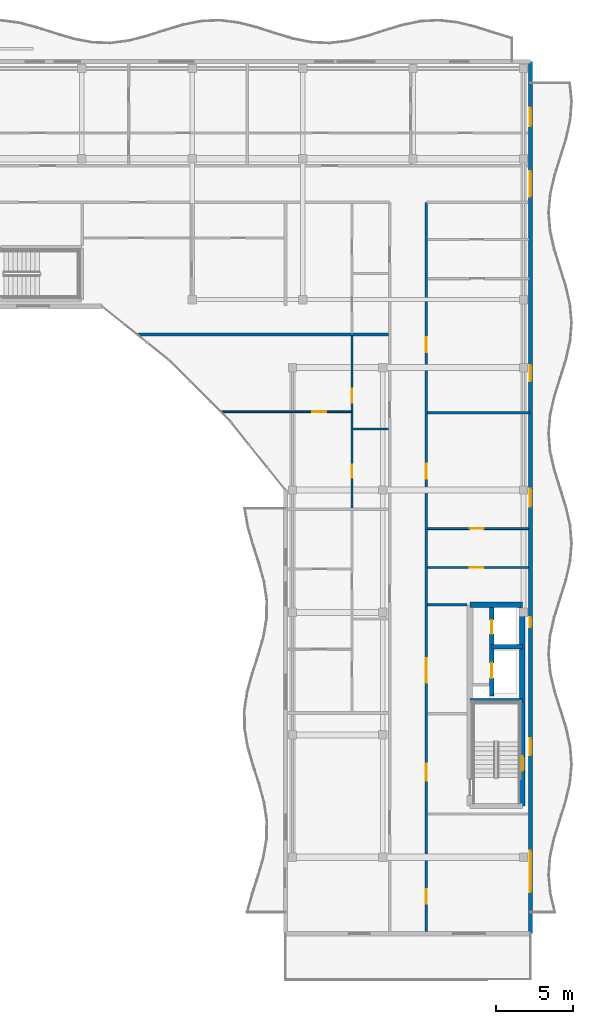
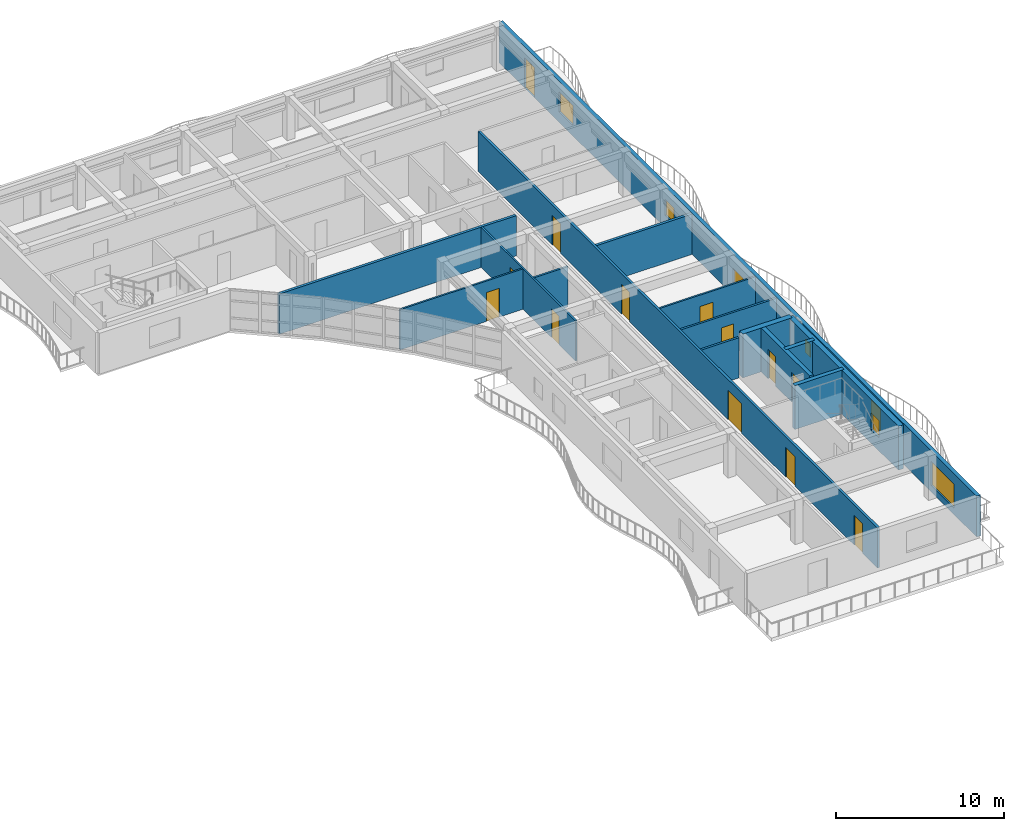
# One storey, part 34 of 49: 15 walls, 13 doors, 7 windows, 20 openings.
"""IFC4 building model written with IfcOpenShell, lengths in metres."""

from ifc_helpers import new_model, si_unit, direction, frame, frame_2d, origin, place, context, subcontext, project, spatial, rectangle, extrude, material, layer, layer_set, type_object, element, fill, save


model = new_model("IFC4")

# Units and contexts
model_context = context("Model", 3, precision=1e-05, world=origin(), true_north=direction((0.0, 1.0)))
body_context = subcontext(model_context, "Body", "Model", "MODEL_VIEW")
ifc_project = project(units=[si_unit("LENGTHUNIT", "METRE"), si_unit("AREAUNIT", "SQUARE_METRE"), si_unit("VOLUMEUNIT", "CUBIC_METRE"), si_unit("PLANEANGLEUNIT", "RADIAN"), si_unit("MASSUNIT", "GRAM", prefix="KILO")], contexts=[model_context])

# Site, building, storey
site_placement = place(None, origin())
site = spatial("IfcSite", under=ifc_project, at=site_placement, CompositionType="ELEMENT")
building_placement = place(site_placement, origin())
building = spatial("IfcBuilding", under=site, at=building_placement, Name="Keldmere Railside Commons", CompositionType="ELEMENT")
storey_placement = place(building_placement, frame((0.0, 0.0, 29.760009765625)))
storey = spatial("IfcBuildingStorey", under=building, at=storey_placement, Name="L09", CompositionType="ELEMENT", Elevation=29.760009765625)

# Walls
ifc_material_1 = material(Name="Acoustic Gypsum Board Partition", Category="gypsum")
ifc_layer_1 = layer(ifc_material_1, 0.179931640625, Name="Acoustic Demising Partition 180")
ifc_layer_set_1 = layer_set([ifc_layer_1], Name="Acoustic Gypsum Board Partition")
wall_type_1 = type_object("IfcWallType", Name="Acoustic Demising Partition 180", PredefinedType="PARTITIONING", material=ifc_layer_set_1)
wall_1_placement = place(storey_placement, frame((158.357421875, 98.159912109375, 0.0), z_axis=(0.0, 0.0, 1.0), x_axis=(1.0, 0.0, 0.0)))
element("IfcWall", 1, at=wall_1_placement, inside=storey, type_object=wall_type_1, Name="IW-1 IW-L09-1779", PredefinedType="PARTITIONING", context=body_context, shape_type="SweptSolid", body=[
    extrude(rectangle(XDim=16.362548828125, YDim=0.179931640625, at=frame_2d((8.18115234375, 0.0))), origin(), (0.0, 0.0, 1.0), 2.93505859375),
])
wall_2_placement = place(storey_placement, frame((177.280029296875, 93.050048828125, 0.0), z_axis=(0.0, 0.0, 1.0), x_axis=(1.0, 0.0, 0.0)))
element("IfcWall", 2, at=wall_2_placement, inside=storey, type_object=wall_type_1, Name="IW-1 IW-L09-1799", PredefinedType="PARTITIONING", context=body_context, shape_type="SweptSolid", body=[
    extrude(rectangle(XDim=6.679931640625, YDim=0.179931640625, at=frame_2d((3.33984375, 0.0))), origin(), (0.0, 0.0, 1.0), 2.93505859375),
])

# Wall, openings, doors
ifc_layer_2 = layer(ifc_material_1, 0.1201171875, Name="Apartment Interior Partition 120")
ifc_layer_set_2 = layer_set([ifc_layer_2], Name="Acoustic Gypsum Board Partition")
wall_type_2 = type_object("IfcWallType", Name="Apartment Interior Partition 120", PredefinedType="PARTITIONING", material=ifc_layer_set_2)
wall_3_placement = place(storey_placement, frame((172.340087890625, 86.830078125, 0.0), z_axis=(0.0, 0.0, 1.0), x_axis=(0.0, 1.0, 0.0)))
wall_3 = element("IfcWall", 3, at=wall_3_placement, inside=storey, type_object=wall_type_2, Name="IW-4 IW-L09-1784", PredefinedType="PARTITIONING", context=body_context, shape_type="SweptSolid", body=[
    extrude(rectangle(XDim=11.239990234375, YDim=0.1201171875, at=frame_2d((5.6201171875, 0.0))), origin(), (0.0, 0.0, 1.0), 2.93505859375),
])
opening_1_placement = place(wall_3_placement, frame((1.964599609375, 0.0, 0.0)))
opening_1 = element("IfcOpeningElement", 4, at=opening_1_placement, cuts=wall_3, Name="Opening ID-04", PredefinedType="OPENING", context=body_context, shape_type="SweptSolid", body=[
    extrude(rectangle(XDim=0.860107421875, YDim=2.10009765625, at=frame_2d((0.43017578125, 1.050048828125))), frame((0.0, 0.070068359375, 0.0), z_axis=(0.0, -1.0, 0.0), x_axis=(1.0, 0.0, 0.0)), (0.0, 0.0, 1.0), 0.14013671875),
])
opening_2_placement = place(wall_3_placement, frame((6.86962890625, 0.0, 0.0)))
opening_2 = element("IfcOpeningElement", 5, at=opening_2_placement, cuts=wall_3, Name="Opening ID-03", PredefinedType="OPENING", context=body_context, shape_type="SweptSolid", body=[
    extrude(rectangle(XDim=0.919921875, YDim=2.10009765625, at=frame_2d((0.4599609375, 1.050048828125))), frame((0.0, 0.070068359375, 0.0), z_axis=(0.0, -1.0, 0.0), x_axis=(1.0, 0.0, 0.0)), (0.0, 0.0, 1.0), 0.14013671875),
])
ifc_material_2 = material(Name="Engineered Oak Timber", Category="wood")
door_type_1 = type_object("IfcDoorType", Name="Apartment Bathroom Door 860x2100", OperationType="NOTDEFINED", PredefinedType="DOOR", material=ifc_material_2)
door_1_placement = place(opening_1_placement, origin())
door_1 = element("IfcDoor", 6, at=door_1_placement, inside=storey, type_object=door_type_1, Name="ID-04 IDR-L09-1625", OperationType="SINGLE_SWING_LEFT", OverallHeight=2.10009765625, OverallWidth=0.860107421875, PredefinedType="DOOR", context=body_context, shape_type="SweptSolid", body=[
    extrude(rectangle(XDim=0.860107421875, YDim=2.10009765625, at=frame_2d((0.43017578125, 1.050048828125))), frame((0.0, 0.02490234375, 0.0), z_axis=(0.0, -1.0, 0.0), x_axis=(1.0, 0.0, 0.0)), (0.0, 0.0, 1.0), 0.050048828125),
])
fill(opening_1, door_1)
door_type_2 = type_object("IfcDoorType", Name="Kitchen Pocket-Frame Swing Door 920x2100", OperationType="NOTDEFINED", PredefinedType="DOOR", material=ifc_material_2)
door_2_placement = place(opening_2_placement, origin())
door_2 = element("IfcDoor", 7, at=door_2_placement, inside=storey, type_object=door_type_2, Name="ID-03 IDR-L09-1626", OperationType="SINGLE_SWING_RIGHT", OverallHeight=2.10009765625, OverallWidth=0.919921875, PredefinedType="DOOR", context=body_context, shape_type="SweptSolid", body=[
    extrude(rectangle(XDim=0.919921875, YDim=2.10009765625, at=frame_2d((0.4599609375, 1.050048828125))), frame((0.0, 0.02490234375, 0.0), z_axis=(0.0, -1.0, 0.0), x_axis=(1.0, 0.0, 0.0)), (0.0, 0.0, 1.0), 0.050048828125),
])
fill(opening_2, door_2)

# Wall, opening, door
wall_4_placement = place(storey_placement, frame((163.8125, 93.1201171875, 0.0), z_axis=(0.0, 0.0, 1.0), x_axis=(1.0, 0.0, 0.0)))
wall_4 = element("IfcWall", 8, at=wall_4_placement, inside=storey, type_object=wall_type_2, Name="IW-4 IW-L09-1786", PredefinedType="PARTITIONING", context=body_context, shape_type="SweptSolid", body=[
    extrude(rectangle(XDim=8.467529296875, YDim=0.1201171875, at=frame_2d((4.23388671875, 0.0))), origin(), (0.0, 0.0, 1.0), 2.93505859375),
])
opening_3_placement = place(wall_4_placement, frame((5.94189453125, 0.0, 0.0)))
opening_3 = element("IfcOpeningElement", 9, at=opening_3_placement, cuts=wall_4, Name="Opening ID-01", PredefinedType="OPENING", context=body_context, shape_type="SweptSolid", body=[
    extrude(rectangle(XDim=0.89990234375, YDim=2.10009765625, at=frame_2d((0.449951171875, 1.050048828125))), frame((0.0, 0.070068359375, 0.0), z_axis=(0.0, -1.0, 0.0), x_axis=(1.0, 0.0, 0.0)), (0.0, 0.0, 1.0), 0.14013671875),
])
door_type_3 = type_object("IfcDoorType", Name="Primary Bedroom Door 900x2100", OperationType="NOTDEFINED", PredefinedType="DOOR", material=ifc_material_2)
door_3_placement = place(opening_3_placement, origin())
door_3 = element("IfcDoor", 10, at=door_3_placement, inside=storey, type_object=door_type_3, Name="ID-01 IDR-L09-1628", OperationType="SINGLE_SWING_RIGHT", OverallHeight=2.10009765625, OverallWidth=0.89990234375, PredefinedType="DOOR", context=body_context, shape_type="SweptSolid", body=[
    extrude(rectangle(XDim=0.89990234375, YDim=2.10009765625, at=frame_2d((0.449951171875, 1.050048828125))), frame((0.0, 0.02490234375, 0.0), z_axis=(0.0, -1.0, 0.0), x_axis=(1.0, 0.0, 0.0)), (0.0, 0.0, 1.0), 0.050048828125),
])
fill(opening_3, door_3)

wall_5_placement = place(storey_placement, frame((177.280029296875, 85.47998046875, 0.0), z_axis=(0.0, 0.0, 1.0), x_axis=(1.0, 0.0, 0.0)))
wall_5 = element("IfcWall", 11, at=wall_5_placement, inside=storey, type_object=wall_type_2, Name="IW-4 IW-L09-1801", PredefinedType="PARTITIONING", context=body_context, shape_type="SweptSolid", body=[
    extrude(rectangle(XDim=6.590087890625, YDim=0.1201171875, at=frame_2d((3.294921875, 0.0))), origin(), (0.0, 0.0, 1.0), 2.93505859375),
])
opening_4_placement = place(wall_5_placement, frame((2.767822265625, 0.0, 0.0)))
opening_4 = element("IfcOpeningElement", 12, at=opening_4_placement, cuts=wall_5, Name="Opening ID-03", PredefinedType="OPENING", context=body_context, shape_type="SweptSolid", body=[
    extrude(rectangle(XDim=0.919921875, YDim=2.10009765625, at=frame_2d((0.4599609375, 1.050048828125))), frame((0.0, 0.070068359375, 0.0), z_axis=(0.0, -1.0, 0.0), x_axis=(1.0, 0.0, 0.0)), (0.0, 0.0, 1.0), 0.14013671875),
])
door_4_placement = place(opening_4_placement, origin())
door_4 = element("IfcDoor", 13, at=door_4_placement, inside=storey, type_object=door_type_2, Name="ID-03 IDR-L09-1648", OperationType="SINGLE_SWING_RIGHT", OverallHeight=2.10009765625, OverallWidth=0.919921875, PredefinedType="DOOR", context=body_context, shape_type="SweptSolid", body=[
    extrude(rectangle(XDim=0.919921875, YDim=2.10009765625, at=frame_2d((0.4599609375, 1.050048828125))), frame((0.0, 0.02490234375, 0.0), z_axis=(0.0, -1.0, 0.0), x_axis=(1.0, 0.0, 0.0)), (0.0, 0.0, 1.0), 0.050048828125),
])
fill(opening_4, door_4)

# Walls
ifc_material_3 = material(Name="Concrete H-35 (C35/45)", Category="concrete")
ifc_layer_3 = layer(ifc_material_3, 0.280029296875, Name="Core Shear Wall 280")
ifc_layer_set_3 = layer_set([ifc_layer_3], Name="Concrete H-35 (C35/45)")
wall_type_3 = type_object("IfcWallType", Name="Core Shear Wall 280", PredefinedType="SHEAR", material=ifc_layer_set_3)
wall_6_placement = place(storey_placement, frame((180.06005859375, 74.239990234375, 0.0), z_axis=(0.0, 0.0, 1.0), x_axis=(1.0, 0.0, 0.0)))
element("IfcWall", 14, at=wall_6_placement, inside=storey, type_object=wall_type_3, Name="CSW-2 COREAM-L09-0820", PredefinedType="SHEAR", context=body_context, shape_type="SweptSolid", body=[
    extrude(rectangle(XDim=3.409912109375, YDim=0.280029296875, at=frame_2d((1.705078125, 0.0))), origin(), (0.0, 0.0, 1.0), 3.199951171875),
])
wall_7_placement = place(storey_placement, frame((181.469970703125, 77.75, 0.0), z_axis=(0.0, 0.0, 1.0), x_axis=(1.0, 0.0, 0.0)))
element("IfcWall", 15, at=wall_7_placement, inside=storey, type_object=wall_type_3, Name="CSW-2 COREAL-L09-0821", PredefinedType="SHEAR", context=body_context, shape_type="SweptSolid", body=[
    extrude(rectangle(XDim=2.0, YDim=0.280029296875, at=frame_2d((1.0, 0.0))), origin(), (0.0, 0.0, 1.0), 3.199951171875),
])

# Wall, openings, doors
wall_8_placement = place(storey_placement, frame((181.469970703125, 74.550048828125, 0.0), z_axis=(0.0, 0.0, 1.0), x_axis=(0.0, 1.0, 0.0)))
wall_8 = element("IfcWall", 16, at=wall_8_placement, inside=storey, type_object=wall_type_3, Name="CSW-2 LSHA-L09-0822", PredefinedType="SHEAR", context=body_context, shape_type="SweptSolid", body=[
    extrude(rectangle(XDim=5.949951171875, YDim=0.280029296875, at=frame_2d((2.97509765625, 0.0))), origin(), (0.0, 0.0, 1.0), 3.199951171875),
])
opening_5_placement = place(wall_8_placement, frame((1.14990234375, 0.0, 0.0)))
opening_5 = element("IfcOpeningElement", 17, at=opening_5_placement, cuts=wall_8, Name="Opening LD-1", PredefinedType="OPENING", context=body_context, shape_type="SweptSolid", body=[
    extrude(rectangle(XDim=1.0, YDim=2.14990234375, at=frame_2d((0.5, 1.074951171875))), frame((0.0, 0.14990234375, 0.0), z_axis=(0.0, -1.0, 0.0), x_axis=(1.0, 0.0, 0.0)), (0.0, 0.0, 1.0), 0.300048828125),
])
opening_6_placement = place(wall_8_placement, frame((4.050048828125, 0.0, 0.0)))
opening_6 = element("IfcOpeningElement", 18, at=opening_6_placement, cuts=wall_8, Name="Opening LD-2", PredefinedType="OPENING", context=body_context, shape_type="SweptSolid", body=[
    extrude(rectangle(XDim=0.89990234375, YDim=2.14990234375, at=frame_2d((0.449951171875, 1.074951171875))), frame((0.0, 0.14990234375, 0.0), z_axis=(0.0, -1.0, 0.0), x_axis=(1.0, 0.0, 0.0)), (0.0, 0.0, 1.0), 0.300048828125),
])
ifc_material_4 = material(Name="Steel F-24 (S235)", Category="steel")
door_type_4 = type_object("IfcDoorType", Name="Firefighting Stretcher Lift Landing Door 1000x2150", OperationType="SLIDING_TO_LEFT", PredefinedType="DOOR", material=ifc_material_4)
door_5_placement = place(opening_5_placement, origin())
door_5 = element("IfcDoor", 19, at=door_5_placement, inside=storey, type_object=door_type_4, Name="LD-1 A L09", OperationType="SLIDING_TO_LEFT", OverallHeight=2.14990234375, OverallWidth=1.0, PredefinedType="DOOR", context=body_context, shape_type="SweptSolid", body=[
    extrude(rectangle(XDim=1.0, YDim=2.14990234375, at=frame_2d((0.5, 1.074951171875))), frame((0.0, 0.02490234375, 0.0), z_axis=(0.0, -1.0, 0.0), x_axis=(1.0, 0.0, 0.0)), (0.0, 0.0, 1.0), 0.050048828125),
])
fill(opening_5, door_5)
door_type_5 = type_object("IfcDoorType", Name="Passenger Lift Sliding Landing Door 900x2150", OperationType="SLIDING_TO_RIGHT", PredefinedType="DOOR", material=ifc_material_4)
door_6_placement = place(opening_6_placement, origin())
door_6 = element("IfcDoor", 20, at=door_6_placement, inside=storey, type_object=door_type_5, Name="LD-2 A L09", OperationType="SLIDING_TO_RIGHT", OverallHeight=2.14990234375, OverallWidth=0.89990234375, PredefinedType="DOOR", context=body_context, shape_type="SweptSolid", body=[
    extrude(rectangle(XDim=0.89990234375, YDim=2.14990234375, at=frame_2d((0.449951171875, 1.074951171875))), frame((0.0, 0.02490234375, 0.0), z_axis=(0.0, -1.0, 0.0), x_axis=(1.0, 0.0, 0.0)), (0.0, 0.0, 1.0), 0.050048828125),
])
fill(opening_6, door_6)

# Wall
ifc_material_5 = material(Name="Concrete H-40 (C40/50)", Category="concrete")
ifc_layer_4 = layer(ifc_material_5, 0.3798828125, Name="Core Shear Wall 380")
ifc_layer_set_4 = layer_set([ifc_layer_4], Name="Concrete H-40 (C40/50)")
wall_type_4 = type_object("IfcWallType", Name="Core Shear Wall 380", PredefinedType="SHEAR", material=ifc_layer_set_4)
wall_9_placement = place(storey_placement, frame((180.06005859375, 80.5, 0.0), z_axis=(0.0, 0.0, 1.0), x_axis=(1.0, 0.0, 0.0)))
element("IfcWall", 21, at=wall_9_placement, inside=storey, type_object=wall_type_4, Name="CW-CORE COREAN-L09-0817", PredefinedType="SHEAR", context=body_context, shape_type="SweptSolid", body=[
    extrude(rectangle(XDim=3.409912109375, YDim=0.3798828125, at=frame_2d((1.705078125, 0.0))), origin(), (0.0, 0.0, 1.0), 3.199951171875),
])

# Wall, openings, doors
ifc_layer_5 = layer(ifc_material_1, 0.159912109375, Name="Corridor Fire Partition 160")
ifc_layer_set_5 = layer_set([ifc_layer_5], Name="Acoustic Gypsum Board Partition")
wall_type_5 = type_object("IfcWallType", Name="Corridor Fire Partition 160", PredefinedType="PARTITIONING", material=ifc_layer_set_5)
wall_10_placement = place(storey_placement, frame((177.199951171875, 59.159912109375, 0.0), z_axis=(0.0, 0.0, 1.0), x_axis=(0.0, 1.0, 0.0)))
wall_10 = element("IfcWall", 22, at=wall_10_placement, inside=storey, type_object=wall_type_5, Name="IW-2 IW-L09-1770", PredefinedType="PARTITIONING", context=body_context, shape_type="SweptSolid", body=[
    extrude(rectangle(XDim=47.64013671875, YDim=0.159912109375, at=frame_2d((23.820068359375, 0.0))), origin(), (0.0, 0.0, 1.0), 2.93505859375),
])
opening_7_placement = place(wall_10_placement, frame((9.840087890625, 0.0, 0.0)))
opening_7 = element("IfcOpeningElement", 23, at=opening_7_placement, cuts=wall_10, Name="Opening FD-2", PredefinedType="OPENING", context=body_context, shape_type="SweptSolid", body=[
    extrude(rectangle(XDim=1.10009765625, YDim=2.14990234375, at=frame_2d((0.550048828125, 1.074951171875))), frame((0.0, 0.08984375, 0.0), z_axis=(0.0, -1.0, 0.0), x_axis=(1.0, 0.0, 0.0)), (0.0, 0.0, 1.0), 0.179931640625),
])
opening_8_placement = place(wall_10_placement, frame((16.239990234375, 0.0, 0.0)))
opening_8 = element("IfcOpeningElement", 24, at=opening_8_placement, cuts=wall_10, Name="Opening FD-4", PredefinedType="OPENING", context=body_context, shape_type="SweptSolid", body=[
    extrude(rectangle(XDim=1.60009765625, YDim=2.14990234375, at=frame_2d((0.800048828125, 1.074951171875))), frame((0.0, 0.08984375, 0.0), z_axis=(0.0, -1.0, 0.0), x_axis=(1.0, 0.0, 0.0)), (0.0, 0.0, 1.0), 0.179931640625),
])
opening_9_placement = place(wall_10_placement, frame((1.800048828125, 0.0, 0.0)))
opening_9 = element("IfcOpeningElement", 25, at=opening_9_placement, cuts=wall_10, Name="Opening ID-08", PredefinedType="OPENING", context=body_context, shape_type="SweptSolid", body=[
    extrude(rectangle(XDim=0.9599609375, YDim=2.14990234375, at=frame_2d((0.47998046875, 1.074951171875))), frame((0.0, 0.08984375, 0.0), z_axis=(0.0, -1.0, 0.0), x_axis=(1.0, 0.0, 0.0)), (0.0, 0.0, 1.0), 0.179931640625),
])
opening_10_placement = place(wall_10_placement, frame((29.570068359375, 0.0, 0.0)))
opening_10 = element("IfcOpeningElement", 26, at=opening_10_placement, cuts=wall_10, Name="Opening FD-7", PredefinedType="OPENING", context=body_context, shape_type="SweptSolid", body=[
    extrude(rectangle(XDim=0.97998046875, YDim=2.14990234375, at=frame_2d((0.489990234375, 1.074951171875))), frame((0.0, 0.08984375, 0.0), z_axis=(0.0, -1.0, 0.0), x_axis=(1.0, 0.0, 0.0)), (0.0, 0.0, 1.0), 0.179931640625),
])
opening_11_placement = place(wall_10_placement, frame((37.830078125, 0.0, 0.0)))
opening_11 = element("IfcOpeningElement", 27, at=opening_11_placement, cuts=wall_10, Name="Opening FD-7", PredefinedType="OPENING", context=body_context, shape_type="SweptSolid", body=[
    extrude(rectangle(XDim=0.97998046875, YDim=2.14990234375, at=frame_2d((0.489990234375, 1.074951171875))), frame((0.0, 0.08984375, 0.0), z_axis=(0.0, -1.0, 0.0), x_axis=(1.0, 0.0, 0.0)), (0.0, 0.0, 1.0), 0.179931640625),
])
door_type_6 = type_object("IfcDoorType", Name="Apartment Entrance Acoustic Fire Door 980x2150", OperationType="NOTDEFINED", PredefinedType="DOOR", material=ifc_material_2)
door_7_placement = place(opening_10_placement, origin())
door_7 = element("IfcDoor", 28, at=door_7_placement, inside=storey, type_object=door_type_6, Name="FD-7 IDR-L09-1649", OperationType="SINGLE_SWING_LEFT", OverallHeight=2.14990234375, OverallWidth=0.97998046875, PredefinedType="DOOR", context=body_context, shape_type="SweptSolid", body=[
    extrude(rectangle(XDim=0.97998046875, YDim=2.14990234375, at=frame_2d((0.489990234375, 1.074951171875))), frame((0.0, 0.02490234375, 0.0), z_axis=(0.0, -1.0, 0.0), x_axis=(1.0, 0.0, 0.0)), (0.0, 0.0, 1.0), 0.050048828125),
])
fill(opening_10, door_7)
door_8_placement = place(opening_11_placement, origin())
door_8 = element("IfcDoor", 29, at=door_8_placement, inside=storey, type_object=door_type_6, Name="FD-7 IDR-L09-1652", OperationType="SINGLE_SWING_RIGHT", OverallHeight=2.14990234375, OverallWidth=0.97998046875, PredefinedType="DOOR", context=body_context, shape_type="SweptSolid", body=[
    extrude(rectangle(XDim=0.97998046875, YDim=2.14990234375, at=frame_2d((0.489990234375, 1.074951171875))), frame((0.0, 0.02490234375, 0.0), z_axis=(0.0, -1.0, 0.0), x_axis=(1.0, 0.0, 0.0)), (0.0, 0.0, 1.0), 0.050048828125),
])
fill(opening_11, door_8)
door_type_7 = type_object("IfcDoorType", Name="Corridor Cross-Compartment Double Fire Door 1600x2150", OperationType="DOUBLE_DOOR_SINGLE_SWING", PredefinedType="DOOR", material=ifc_material_4)
door_9_placement = place(opening_8_placement, origin())
door_9 = element("IfcDoor", 30, at=door_9_placement, inside=storey, type_object=door_type_7, Name="FD-4 IDR-L09-1618", OperationType="DOUBLE_DOOR_SINGLE_SWING", OverallHeight=2.14990234375, OverallWidth=1.60009765625, PredefinedType="DOOR", context=body_context, shape_type="SweptSolid", body=[
    extrude(rectangle(XDim=1.60009765625, YDim=2.14990234375, at=frame_2d((0.800048828125, 1.074951171875))), frame((0.0, 0.02490234375, 0.0), z_axis=(0.0, -1.0, 0.0), x_axis=(1.0, 0.0, 0.0)), (0.0, 0.0, 1.0), 0.050048828125),
])
fill(opening_8, door_9)
door_type_8 = type_object("IfcDoorType", Name="Firefighting Lobby Fire Door 1100x2150", OperationType="NOTDEFINED", PredefinedType="DOOR", material=ifc_material_4)
door_10_placement = place(opening_7_placement, origin())
door_10 = element("IfcDoor", 31, at=door_10_placement, inside=storey, type_object=door_type_8, Name="FD-2 IDR-L09-1617", OperationType="SINGLE_SWING_LEFT", OverallHeight=2.14990234375, OverallWidth=1.10009765625, PredefinedType="DOOR", context=body_context, shape_type="SweptSolid", body=[
    extrude(rectangle(XDim=1.10009765625, YDim=2.14990234375, at=frame_2d((0.550048828125, 1.074951171875))), frame((0.0, 0.02490234375, 0.0), z_axis=(0.0, -1.0, 0.0), x_axis=(1.0, 0.0, 0.0)), (0.0, 0.0, 1.0), 0.050048828125),
])
fill(opening_7, door_10)
door_type_9 = type_object("IfcDoorType", Name="Study & Meeting Room Door 960x2150", OperationType="NOTDEFINED", PredefinedType="DOOR", material=ifc_material_2)
door_11_placement = place(opening_9_placement, origin())
door_11 = element("IfcDoor", 32, at=door_11_placement, inside=storey, type_object=door_type_9, Name="ID-08 IDR-L09-1646", OperationType="SINGLE_SWING_RIGHT", OverallHeight=2.14990234375, OverallWidth=0.9599609375, PredefinedType="DOOR", context=body_context, shape_type="SweptSolid", body=[
    extrude(rectangle(XDim=0.9599609375, YDim=2.14990234375, at=frame_2d((0.47998046875, 1.074951171875))), frame((0.0, 0.02490234375, 0.0), z_axis=(0.0, -1.0, 0.0), x_axis=(1.0, 0.0, 0.0)), (0.0, 0.0, 1.0), 0.050048828125),
])
fill(opening_9, door_11)

# Wall, opening, window
ifc_layer_6 = layer(ifc_material_3, 0.340087890625, Name="Interior Shear Wall 340")
ifc_layer_set_6 = layer_set([ifc_layer_6], Name="Concrete H-35 (C35/45)")
wall_type_6 = type_object("IfcWallType", Name="Interior Shear Wall 340", PredefinedType="SHEAR", material=ifc_layer_set_6)
wall_11_placement = place(storey_placement, frame((183.469970703125, 80.5, 0.0), z_axis=(0.0, 0.0, 1.0), x_axis=(0.0, -1.0, 0.0)))
wall_11 = element("IfcWall", 33, at=wall_11_placement, inside=storey, type_object=wall_type_6, Name="ISW-1 COREAE-L09-0818", PredefinedType="SHEAR", context=body_context, shape_type="SweptSolid", body=[
    extrude(rectangle(XDim=13.14990234375, YDim=0.340087890625, at=frame_2d((6.574951171875, 0.0))), origin(), (0.0, 0.0, 1.0), 3.199951171875),
])
opening_12_placement = place(wall_11_placement, frame((9.89990234375, 0.0, 0.969970703125)))
opening_12 = element("IfcOpeningElement", 34, at=opening_12_placement, cuts=wall_11, Name="Opening WN-17", PredefinedType="OPENING", context=body_context, shape_type="SweptSolid", body=[
    extrude(rectangle(XDim=0.949951171875, YDim=1.25, at=frame_2d((0.47509765625, 0.625))), frame((0.0, 0.179931640625, 0.0), z_axis=(0.0, -1.0, 0.0), x_axis=(1.0, 0.0, 0.0)), (0.0, 0.0, 1.0), 0.360107421875),
])
ifc_material_6 = material(Name="Low-E Insulated Double Glazing", Category="glass")
window_type_1 = type_object("IfcWindowType", Name="Stair Core Natural Smoke-Vent Window 950x1250", PartitioningType="SINGLE_PANEL", PredefinedType="WINDOW", material=ifc_material_6)
window_1_placement = place(opening_12_placement, origin())
window_1 = element("IfcWindow", 35, at=window_1_placement, inside=storey, type_object=window_type_1, Name="WN-17 WIN-L09-0565", OverallHeight=1.25, OverallWidth=0.949951171875, PartitioningType="SINGLE_PANEL", PredefinedType="WINDOW", context=body_context, shape_type="SweptSolid", body=[
    extrude(rectangle(XDim=0.949951171875, YDim=1.25, at=frame_2d((0.47509765625, 0.625))), frame((0.0, 0.030029296875, 0.0), z_axis=(0.0, -1.0, 0.0), x_axis=(1.0, 0.0, 0.0)), (0.0, 0.0, 1.0), 0.06005859375),
])
fill(opening_12, window_1)

# Wall
ifc_layer_7 = layer(ifc_material_1, 0.14990234375, Name="Lobby Rated Partition 150")
ifc_layer_set_7 = layer_set([ifc_layer_7], Name="Acoustic Gypsum Board Partition")
wall_type_7 = type_object("IfcWallType", Name="Lobby Rated Partition 150", PredefinedType="PARTITIONING", material=ifc_layer_set_7)
wall_12_placement = place(storey_placement, frame((177.280029296875, 80.5, 0.0), z_axis=(0.0, 0.0, 1.0), x_axis=(1.0, 0.0, 0.0)))
element("IfcWall", 36, at=wall_12_placement, inside=storey, type_object=wall_type_7, Name="IW-3 IW-L09-1768", PredefinedType="PARTITIONING", context=body_context, shape_type="SweptSolid", body=[
    extrude(rectangle(XDim=2.590087890625, YDim=0.14990234375, at=frame_2d((1.294921875, 0.0))), origin(), (0.0, 0.0, 1.0), 2.93505859375),
])

# Wall, openings, windows, door
ifc_material_7 = material(Name="Terracotta Brick Masonry", Category="masonry")
ifc_layer_8 = layer(ifc_material_7, 0.260009765625, Name="Terracotta Cavity Wall 260")
ifc_layer_set_8 = layer_set([ifc_layer_8], Name="Terracotta Brick Masonry")
wall_type_8 = type_object("IfcWallType", Name="Terracotta Cavity Wall 260", PredefinedType="SOLIDWALL", material=ifc_layer_set_8)
wall_13_placement = place(storey_placement, frame((184.0, 116.0, 0.0), z_axis=(0.0, 0.0, 1.0), x_axis=(0.0, -1.0, 0.0)))
wall_13 = element("IfcWall", 37, at=wall_13_placement, inside=storey, type_object=wall_type_8, Name="EW-1 EXTA-L09-0939", PredefinedType="SOLIDWALL", context=body_context, shape_type="SweptSolid", body=[
    extrude(rectangle(XDim=57.0, YDim=0.260009765625, at=frame_2d((28.5, 0.0))), origin(), (0.0, 0.0, 1.0), 2.97998046875),
])
opening_13_placement = place(wall_13_placement, frame((3.021484375, 0.0, 0.0)))
opening_13 = element("IfcOpeningElement", 38, at=opening_13_placement, cuts=wall_13, Name="Opening BD-01", PredefinedType="OPENING", context=body_context, shape_type="SweptSolid", body=[
    extrude(rectangle(XDim=1.199951171875, YDim=2.199951171875, at=frame_2d((0.60009765625, 1.10009765625))), frame((0.0, 0.139892578125, 0.0), z_axis=(0.0, -1.0, 0.0), x_axis=(1.0, 0.0, 0.0)), (0.0, 0.0, 1.0), 0.280029296875),
])
opening_14_placement = place(wall_13_placement, frame((7.17138671875, 0.0, 0.77001953125)))
opening_14 = element("IfcOpeningElement", 39, at=opening_14_placement, cuts=wall_13, Name="Opening WN-03", PredefinedType="OPENING", context=body_context, shape_type="SweptSolid", body=[
    extrude(rectangle(XDim=1.64990234375, YDim=1.449951171875, at=frame_2d((0.824951171875, 0.72509765625))), frame((0.0, 0.139892578125, 0.0), z_axis=(0.0, -1.0, 0.0), x_axis=(1.0, 0.0, 0.0)), (0.0, 0.0, 1.0), 0.280029296875),
])
opening_15_placement = place(wall_13_placement, frame((19.83203125, 0.0, 0.89990234375)))
opening_15 = element("IfcOpeningElement", 40, at=opening_15_placement, cuts=wall_13, Name="Opening WN-13", PredefinedType="OPENING", context=body_context, shape_type="SweptSolid", body=[
    extrude(rectangle(XDim=1.050048828125, YDim=1.14990234375, at=frame_2d((0.52490234375, 0.574951171875))), frame((0.0, 0.139892578125, 0.0), z_axis=(0.0, -1.0, 0.0), x_axis=(1.0, 0.0, 0.0)), (0.0, 0.0, 1.0), 0.280029296875),
])
opening_16_placement = place(wall_13_placement, frame((27.89990234375, 0.0, 0.89990234375)))
opening_16 = element("IfcOpeningElement", 41, at=opening_16_placement, cuts=wall_13, Name="Opening WN-14", PredefinedType="OPENING", context=body_context, shape_type="SweptSolid", body=[
    extrude(rectangle(XDim=1.199951171875, YDim=1.050048828125, at=frame_2d((0.60009765625, 0.52490234375))), frame((0.0, 0.139892578125, 0.0), z_axis=(0.0, -1.0, 0.0), x_axis=(1.0, 0.0, 0.0)), (0.0, 0.0, 1.0), 0.280029296875),
])
opening_17_placement = place(wall_13_placement, frame((36.31787109375, 0.0, 0.89990234375)))
opening_17 = element("IfcOpeningElement", 42, at=opening_17_placement, cuts=wall_13, Name="Opening WN-15", PredefinedType="OPENING", context=body_context, shape_type="SweptSolid", body=[
    extrude(rectangle(XDim=0.64990234375, YDim=0.949951171875, at=frame_2d((0.324951171875, 0.47509765625))), frame((0.0, 0.139892578125, 0.0), z_axis=(0.0, -1.0, 0.0), x_axis=(1.0, 0.0, 0.0)), (0.0, 0.0, 1.0), 0.280029296875),
])
opening_18_placement = place(wall_13_placement, frame((44.235595703125, 0.0, 0.6201171875)))
opening_18 = element("IfcOpeningElement", 43, at=opening_18_placement, cuts=wall_13, Name="Opening WN-16", PredefinedType="OPENING", context=body_context, shape_type="SweptSolid", body=[
    extrude(rectangle(XDim=1.10009765625, YDim=1.60009765625, at=frame_2d((0.550048828125, 0.800048828125))), frame((0.0, 0.139892578125, 0.0), z_axis=(0.0, -1.0, 0.0), x_axis=(1.0, 0.0, 0.0)), (0.0, 0.0, 1.0), 0.280029296875),
])
opening_19_placement = place(wall_13_placement, frame((51.57861328125, 0.0, 0.469970703125)))
opening_19 = element("IfcOpeningElement", 44, at=opening_19_placement, cuts=wall_13, Name="Opening WN-19", PredefinedType="OPENING", context=body_context, shape_type="SweptSolid", body=[
    extrude(rectangle(XDim=2.699951171875, YDim=1.75, at=frame_2d((1.35009765625, 0.875))), frame((0.0, 0.139892578125, 0.0), z_axis=(0.0, -1.0, 0.0), x_axis=(1.0, 0.0, 0.0)), (0.0, 0.0, 1.0), 0.280029296875),
])
window_type_2 = type_object("IfcWindowType", Name="Apartment Kitchen Casement Window 1050x1150", PartitioningType="SINGLE_PANEL", PredefinedType="WINDOW", material=ifc_material_6)
window_2_placement = place(opening_15_placement, origin())
window_2 = element("IfcWindow", 45, at=window_2_placement, inside=storey, type_object=window_type_2, Name="WN-13 WIN-L09-0742", OverallHeight=1.14990234375, OverallWidth=1.050048828125, PartitioningType="SINGLE_PANEL", PredefinedType="WINDOW", context=body_context, shape_type="SweptSolid", body=[
    extrude(rectangle(XDim=1.050048828125, YDim=1.14990234375, at=frame_2d((0.52490234375, 0.574951171875))), frame((0.0, 0.030029296875, 0.0), z_axis=(0.0, -1.0, 0.0), x_axis=(1.0, 0.0, 0.0)), (0.0, 0.0, 1.0), 0.06005859375),
])
fill(opening_15, window_2)
window_type_3 = type_object("IfcWindowType", Name="Apartment Kitchen Ribbon Window 1200x1050", PartitioningType="SINGLE_PANEL", PredefinedType="WINDOW", material=ifc_material_6)
window_3_placement = place(opening_16_placement, origin())
window_3 = element("IfcWindow", 46, at=window_3_placement, inside=storey, type_object=window_type_3, Name="WN-14 WIN-L09-0743", OverallHeight=1.050048828125, OverallWidth=1.199951171875, PartitioningType="SINGLE_PANEL", PredefinedType="WINDOW", context=body_context, shape_type="SweptSolid", body=[
    extrude(rectangle(XDim=1.199951171875, YDim=1.050048828125, at=frame_2d((0.60009765625, 0.52490234375))), frame((0.0, 0.030029296875, 0.0), z_axis=(0.0, -1.0, 0.0), x_axis=(1.0, 0.0, 0.0)), (0.0, 0.0, 1.0), 0.06005859375),
])
fill(opening_16, window_3)
ifc_material_8 = material(Name="Thermally Broken Aluminium", Category="aluminium")
door_type_10 = type_object("IfcDoorType", Name="Apartment Living Wave-Balcony Glazed Door 1200x2200", OperationType="NOTDEFINED", PredefinedType="DOOR", material=ifc_material_8)
door_12_placement = place(opening_13_placement, origin())
door_12 = element("IfcDoor", 47, at=door_12_placement, inside=storey, type_object=door_type_10, Name="BD-01 DR-L09-0269", OperationType="SINGLE_SWING_LEFT", OverallHeight=2.199951171875, OverallWidth=1.199951171875, PredefinedType="DOOR", context=body_context, shape_type="SweptSolid", body=[
    extrude(rectangle(XDim=1.199951171875, YDim=2.199951171875, at=frame_2d((0.60009765625, 1.10009765625))), frame((0.0, 0.02490234375, 0.0), z_axis=(0.0, -1.0, 0.0), x_axis=(1.0, 0.0, 0.0)), (0.0, 0.0, 1.0), 0.050048828125),
])
fill(opening_13, door_12)
window_type_4 = type_object("IfcWindowType", Name="Corridor End Daylight Window 1100x1600", PartitioningType="SINGLE_PANEL", PredefinedType="WINDOW", material=ifc_material_6)
window_4_placement = place(opening_18_placement, origin())
window_4 = element("IfcWindow", 48, at=window_4_placement, inside=storey, type_object=window_type_4, Name="WN-16 WIN-L09-0745", OverallHeight=1.60009765625, OverallWidth=1.10009765625, PartitioningType="SINGLE_PANEL", PredefinedType="WINDOW", context=body_context, shape_type="SweptSolid", body=[
    extrude(rectangle(XDim=1.10009765625, YDim=1.60009765625, at=frame_2d((0.550048828125, 0.800048828125))), frame((0.0, 0.030029296875, 0.0), z_axis=(0.0, -1.0, 0.0), x_axis=(1.0, 0.0, 0.0)), (0.0, 0.0, 1.0), 0.06005859375),
])
fill(opening_18, window_4)
window_type_5 = type_object("IfcWindowType", Name="Exterior Bathroom Frosted Window 650x950", PartitioningType="SINGLE_PANEL", PredefinedType="WINDOW", material=ifc_material_6)
window_5_placement = place(opening_17_placement, origin())
window_5 = element("IfcWindow", 49, at=window_5_placement, inside=storey, type_object=window_type_5, Name="WN-15 WIN-L09-0744", OverallHeight=0.949951171875, OverallWidth=0.64990234375, PartitioningType="SINGLE_PANEL", PredefinedType="WINDOW", context=body_context, shape_type="SweptSolid", body=[
    extrude(rectangle(XDim=0.64990234375, YDim=0.949951171875, at=frame_2d((0.324951171875, 0.47509765625))), frame((0.0, 0.030029296875, 0.0), z_axis=(0.0, -1.0, 0.0), x_axis=(1.0, 0.0, 0.0)), (0.0, 0.0, 1.0), 0.06005859375),
])
fill(opening_17, window_5)
window_type_6 = type_object("IfcWindowType", Name="Living Room East Shaded Window 1650x1450", PartitioningType="SINGLE_PANEL", PredefinedType="WINDOW", material=ifc_material_6)
window_6_placement = place(opening_14_placement, origin())
window_6 = element("IfcWindow", 50, at=window_6_placement, inside=storey, type_object=window_type_6, Name="WN-03 WIN-L09-0740", OverallHeight=1.449951171875, OverallWidth=1.64990234375, PartitioningType="SINGLE_PANEL", PredefinedType="WINDOW", context=body_context, shape_type="SweptSolid", body=[
    extrude(rectangle(XDim=1.64990234375, YDim=1.449951171875, at=frame_2d((0.824951171875, 0.72509765625))), frame((0.0, 0.030029296875, 0.0), z_axis=(0.0, -1.0, 0.0), x_axis=(1.0, 0.0, 0.0)), (0.0, 0.0, 1.0), 0.06005859375),
])
fill(opening_14, window_6)
window_type_7 = type_object("IfcWindowType", Name="Resident Lounge Panorama Window 2700x1750", PartitioningType="SINGLE_PANEL", PredefinedType="WINDOW", material=ifc_material_6)
window_7_placement = place(opening_19_placement, origin())
window_7 = element("IfcWindow", 51, at=window_7_placement, inside=storey, type_object=window_type_7, Name="WN-19 WIN-L09-0746", OverallHeight=1.75, OverallWidth=2.699951171875, PartitioningType="SINGLE_PANEL", PredefinedType="WINDOW", context=body_context, shape_type="SweptSolid", body=[
    extrude(rectangle(XDim=2.699951171875, YDim=1.75, at=frame_2d((1.35009765625, 0.875))), frame((0.0, 0.030029296875, 0.0), z_axis=(0.0, -1.0, 0.0), x_axis=(1.0, 0.0, 0.0)), (0.0, 0.0, 1.0), 0.06005859375),
])
fill(opening_19, window_7)

# Wall
ifc_layer_9 = layer(ifc_material_1, 0.139892578125, Name="Wet-Room Sanitary Partition 140")
ifc_layer_set_9 = layer_set([ifc_layer_9], Name="Acoustic Gypsum Board Partition")
wall_type_9 = type_object("IfcWallType", Name="Wet-Room Sanitary Partition 140", PredefinedType="PARTITIONING", material=ifc_layer_set_9)
wall_14_placement = place(storey_placement, frame((172.39990234375, 92.0, 0.0), z_axis=(0.0, 0.0, 1.0), x_axis=(1.0, 0.0, 0.0)))
element("IfcWall", 52, at=wall_14_placement, inside=storey, type_object=wall_type_9, Name="IW-5 IW-L09-1785", PredefinedType="PARTITIONING", context=body_context, shape_type="SweptSolid", body=[
    extrude(rectangle(XDim=2.320068359375, YDim=0.139892578125, at=frame_2d((1.16015625, 0.0))), origin(), (0.0, 0.0, 1.0), 2.93505859375),
])

# Wall, opening, door
wall_15_placement = place(storey_placement, frame((177.280029296875, 82.929931640625, 0.0), z_axis=(0.0, 0.0, 1.0), x_axis=(1.0, 0.0, 0.0)))
wall_15 = element("IfcWall", 53, at=wall_15_placement, inside=storey, type_object=wall_type_9, Name="IW-5 IW-L09-1800", PredefinedType="PARTITIONING", context=body_context, shape_type="SweptSolid", body=[
    extrude(rectangle(XDim=6.590087890625, YDim=0.139892578125, at=frame_2d((3.294921875, 0.0))), origin(), (0.0, 0.0, 1.0), 2.93505859375),
])
opening_20_placement = place(wall_15_placement, frame((2.767822265625, 0.0, 0.0)))
opening_20 = element("IfcOpeningElement", 54, at=opening_20_placement, cuts=wall_15, Name="Opening ID-04", PredefinedType="OPENING", context=body_context, shape_type="SweptSolid", body=[
    extrude(rectangle(XDim=0.860107421875, YDim=2.10009765625, at=frame_2d((0.43017578125, 1.050048828125))), frame((0.0, 0.079833984375, 0.0), z_axis=(0.0, -1.0, 0.0), x_axis=(1.0, 0.0, 0.0)), (0.0, 0.0, 1.0), 0.159912109375),
])
door_13_placement = place(opening_20_placement, origin())
door_13 = element("IfcDoor", 55, at=door_13_placement, inside=storey, type_object=door_type_1, Name="ID-04 IDR-L09-1647", OperationType="SINGLE_SWING_LEFT", OverallHeight=2.10009765625, OverallWidth=0.860107421875, PredefinedType="DOOR", context=body_context, shape_type="SweptSolid", body=[
    extrude(rectangle(XDim=0.860107421875, YDim=2.10009765625, at=frame_2d((0.43017578125, 1.050048828125))), frame((0.0, 0.02490234375, 0.0), z_axis=(0.0, -1.0, 0.0), x_axis=(1.0, 0.0, 0.0)), (0.0, 0.0, 1.0), 0.050048828125),
])
fill(opening_20, door_13)

save(model, "model.ifc")
